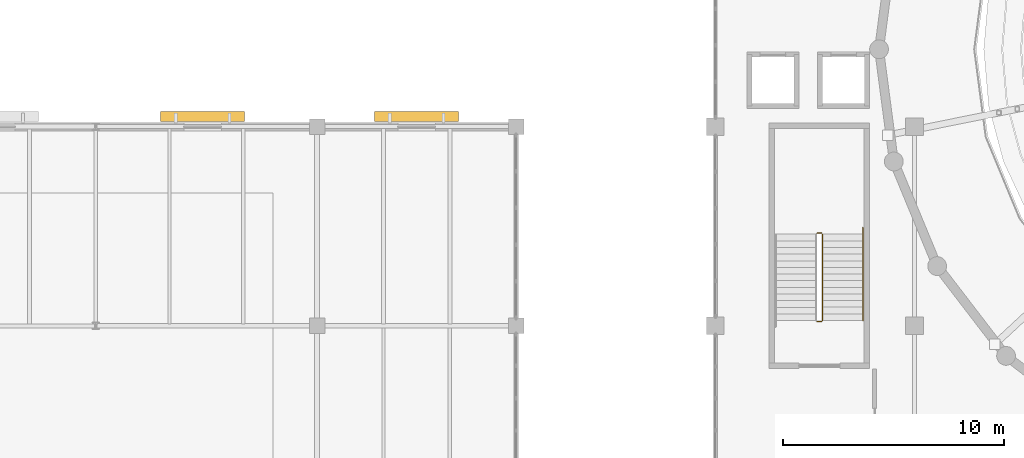
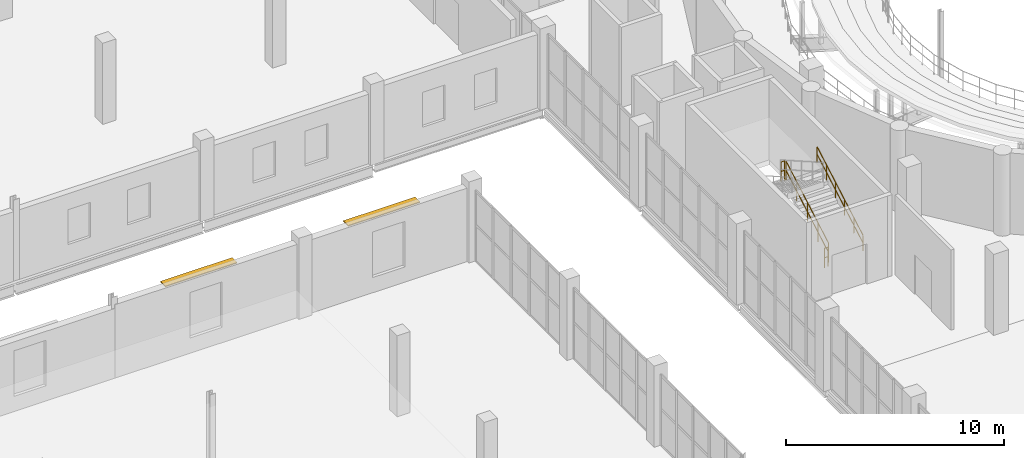
# One storey, part 84 of 93: 4 railings, 2 shading devices.
"""IFC4 building model written with IfcOpenShell, lengths in metres."""

import ifcopenshell
import ifcopenshell.guid

model = None  # the IFC model being written
_history = None  # IfcOwnerHistory: only IFC2X3 demands one
_inside = {}  # id of a spatial element -> (the spatial element, [elements in it])
_under = {}  # id of a project, library or spatial element -> (it, [spatial elements below it])
_declared = {}  # id of a project -> (the project, [libraries it declares])
_typed = {}  # id of a type object -> (the type object, [elements of that type])
_made_of = {}  # id of a material, layer set ... -> (it, [elements and type objects made of it])


def new_model(schema):
    """Start an empty IFC model of exactly this schema.

    Asked for "IFC4X3", IfcOpenShell would pick the latest addendum, in which some entities
    have other attributes; the version numbers below select the first issue.
    IFC2X3 requires an IfcOwnerHistory on every rooted entity: one is made here for all.
    """
    global model, _history
    if schema == "IFC4X3":
        model = ifcopenshell.file(schema_version=(4, 3, 0, 0))
    else:
        model = ifcopenshell.file(schema=schema)
    _inside.clear()
    _under.clear()
    _declared.clear()
    _typed.clear()
    _made_of.clear()
    _history = None
    if model.schema == "IFC2X3":
        org = make("IfcOrganization", Name="unknown")
        user = make(
            "IfcPersonAndOrganization",
            ThePerson=make("IfcPerson", FamilyName="unknown"),
            TheOrganization=org,
        )
        app = make(
            "IfcApplication",
            ApplicationDeveloper=org,
            Version="unknown",
            ApplicationFullName="unknown",
            ApplicationIdentifier="unknown",
        )
        _history = make(
            "IfcOwnerHistory",
            OwningUser=user,
            OwningApplication=app,
            ChangeAction="ADDED",
            CreationDate=0,
        )
    return model


def make(cls, **values):
    """One entity of the class cls with the attributes given. An attribute that is None is left unset."""
    return model.create_entity(
        cls, **{name: value for name, value in values.items() if value is not None}
    )


def rooted(cls, **values):
    """An entity with a GlobalId (a new one), such as an element, a storey or a relation."""
    return make(cls, GlobalId=ifcopenshell.guid.new(), OwnerHistory=_history, **values)


def si_unit(unit_type, name, prefix=None):
    """IfcSIUnit, for example si_unit("LENGTHUNIT", "METRE", prefix="MILLI")."""
    return make("IfcSIUnit", UnitType=unit_type, Prefix=prefix, Name=name)


def assignment(units):
    """IfcUnitAssignment: the units of a project."""
    return None if units is None else make("IfcUnitAssignment", Units=units)


def point(xyz):
    """IfcCartesianPoint."""
    return None if xyz is None else make("IfcCartesianPoint", Coordinates=xyz)


def direction(xyz):
    """IfcDirection."""
    return None if xyz is None else make("IfcDirection", DirectionRatios=xyz)


def frame(location, z_axis=None, x_axis=None):
    """IfcAxis2Placement3D, a coordinate frame: its origin and axes. An axis left out is left unset."""
    return make(
        "IfcAxis2Placement3D",
        Location=point(location),
        Axis=direction(z_axis),
        RefDirection=direction(x_axis),
    )


def frame_2d(location, x_axis=None):
    """IfcAxis2Placement2D, a coordinate frame in the plane: its origin and x axis."""
    return make(
        "IfcAxis2Placement2D", Location=point(location), RefDirection=direction(x_axis)
    )


def origin():
    """The frame at (0, 0, 0) with its axes left unset."""
    return frame((0.0, 0.0, 0.0))


def origin_2d():
    """The frame at (0, 0) in the plane with its x axis left unset."""
    return frame_2d((0.0, 0.0))


def place(relative_to, where):
    """IfcLocalPlacement: puts the frame where relative to a parent placement (None: the world)."""
    return make(
        "IfcLocalPlacement", PlacementRelTo=relative_to, RelativePlacement=where
    )


def context(
    kind, dimensions, precision=None, world=None, true_north=None, identifier=None
):
    """IfcGeometricRepresentationContext, for example the 3D "Model" context."""
    return make(
        "IfcGeometricRepresentationContext",
        ContextIdentifier=identifier,
        ContextType=kind,
        CoordinateSpaceDimension=dimensions,
        Precision=precision,
        WorldCoordinateSystem=world,
        TrueNorth=true_north,
    )


def subcontext(parent, identifier, kind, view, scale=None):
    """IfcGeometricRepresentationSubContext, for example "Body" below "Model"."""
    return make(
        "IfcGeometricRepresentationSubContext",
        ContextIdentifier=identifier,
        ContextType=kind,
        ParentContext=parent,
        TargetScale=scale,
        TargetView=view,
    )


def project(units=None, contexts=None):
    """IfcProject with its units and contexts."""
    return rooted(
        "IfcProject",
        Name="project",
        RepresentationContexts=contexts,
        UnitsInContext=assignment(units),
    )


def spatial(cls, under=None, at=None, **own):
    """A site, building, storey or space (cls), placed at a placement, below another one or the project."""
    s = rooted(cls, ObjectPlacement=at, **own)
    if under is not None:
        _under.setdefault(under.id(), (under, []))[1].append(s)
    return s


def profile(cls, at=None, kind="AREA", **sizes):
    """A parametric profile (cls). Its sizes go by their IFC names, for example OverallWidth=200.0."""
    return make(cls, ProfileType=kind, Position=at, **sizes)


def rectangle(**sizes):
    """IfcRectangleProfileDef."""
    return profile("IfcRectangleProfileDef", **sizes)


def circle(**sizes):
    """IfcCircleProfileDef."""
    return profile("IfcCircleProfileDef", **sizes)


def extrude(swept, where, along, depth):
    """IfcExtrudedAreaSolid: the profile swept, set in the frame where, extruded along a direction by depth."""
    return make(
        "IfcExtrudedAreaSolid",
        SweptArea=swept,
        Position=where,
        ExtrudedDirection=direction(along),
        Depth=depth,
    )


def shape(context_of_items, identifier, shape_type, items):
    """IfcShapeRepresentation: the items that make up one representation, for example the "Body"."""
    return make(
        "IfcShapeRepresentation",
        ContextOfItems=context_of_items,
        RepresentationIdentifier=identifier,
        RepresentationType=shape_type,
        Items=items,
    )


def material(Name=None, Category=None):
    """IfcMaterial."""
    return make("IfcMaterial", Name=Name, Category=Category)


def layer(
    of_material, thickness, ventilated=None, Name=None, Category=None, Priority=None
):
    """IfcMaterialLayer: one layer of a wall or slab, of a material (None: an air gap)."""
    return make(
        "IfcMaterialLayer",
        Material=of_material,
        LayerThickness=thickness,
        IsVentilated=ventilated,
        Name=Name,
        Category=Category,
        Priority=Priority,
    )


def layer_set(layers, Name=None):
    """IfcMaterialLayerSet."""
    return make("IfcMaterialLayerSet", MaterialLayers=layers, LayerSetName=Name)


def made_of(thing, what):
    """Note that an element or type object is made of a material, layer set ...; save() writes the relation."""
    if what is not None:
        _made_of.setdefault(what.id(), (what, []))[1].append(thing)
    return thing


def type_object(cls, material=None, **own):
    """A type object (cls), such as IfcWallType, which elements share."""
    return made_of(rooted(cls, **own), material)


def element(
    cls,
    number,
    at=None,
    inside=None,
    cuts=None,
    type_object=None,
    material=None,
    context=None,
    identifier="Body",
    shape_type=None,
    held_by="IfcProductDefinitionShape",
    body=None,
    shapes=None,
    **own,
):
    """One element of the class cls, such as IfcWall. Its Tag is "e" and its number.

    at: its placement. inside: the storey or other place that contains it. cuts: it is an
    opening in that element (IfcRelVoidsElement). A single representation is given by context,
    identifier, shape_type and body (its items); several are given by shapes. held_by: the class
    of the entity that holds the representations. save() writes the other relations.
    """
    e = rooted(cls, Tag="e%d" % number, ObjectPlacement=at, **own)
    if body is not None:
        shapes = [shape(context, identifier, shape_type, body)]
    if shapes is not None:
        e.Representation = make(held_by, Representations=shapes)
    if inside is not None:
        _inside.setdefault(inside.id(), (inside, []))[1].append(e)
    if cuts is not None:
        rooted(
            "IfcRelVoidsElement", RelatingBuildingElement=cuts, RelatedOpeningElement=e
        )
    if type_object is not None:
        _typed.setdefault(type_object.id(), (type_object, []))[1].append(e)
    return made_of(e, material)


def aggregate(whole, parts):
    """IfcRelAggregates: a whole, such as a stair, and the parts it consists of."""
    return rooted("IfcRelAggregates", RelatingObject=whole, RelatedObjects=parts)


def save(model, path):
    """Write the relations noted so far, then the file.

    IfcRelAggregates (storeys below a building ...), IfcRelContainedInSpatialStructure (elements
    in a storey), IfcRelDefinesByType, IfcRelAssociatesMaterial and IfcRelDeclares: one each for
    every whole, place, type object, material and project.
    """
    for whole, parts in _under.values():
        aggregate(whole, parts)
    for where, things in _inside.values():
        rooted(
            "IfcRelContainedInSpatialStructure",
            RelatedElements=things,
            RelatingStructure=where,
        )
    for kind, things in _typed.values():
        rooted("IfcRelDefinesByType", RelatedObjects=things, RelatingType=kind)
    for what, things in _made_of.values():
        rooted("IfcRelAssociatesMaterial", RelatedObjects=things, RelatingMaterial=what)
    for by, libraries in _declared.values():
        rooted("IfcRelDeclares", RelatingContext=by, RelatedDefinitions=libraries)
    model.write(path)


model = new_model("IFC4")

# Units and contexts
model_context = context("Model", 3, precision=1e-05, world=origin(), true_north=direction((0.0, 1.0)))
body_context = subcontext(model_context, "Body", "Model", "MODEL_VIEW")
ifc_project = project(units=[si_unit("LENGTHUNIT", "METRE"), si_unit("AREAUNIT", "SQUARE_METRE"), si_unit("VOLUMEUNIT", "CUBIC_METRE"), si_unit("PLANEANGLEUNIT", "RADIAN"), si_unit("MASSUNIT", "GRAM", prefix="KILO")], contexts=[model_context])

# Site, building, storey
site_placement = place(None, origin())
site = spatial("IfcSite", under=ifc_project, at=site_placement, CompositionType="ELEMENT")
building_placement = place(site_placement, origin())
building = spatial("IfcBuilding", under=site, at=building_placement, Name="Marnock Terrace Opera House", CompositionType="ELEMENT")
storey_placement = place(building_placement, frame((0.0, 0.0, 5.39990234375)))
storey = spatial("IfcBuildingStorey", under=building, at=storey_placement, Name="L01", CompositionType="ELEMENT", Elevation=5.39990234375)

# Railings
ifc_material_1 = material(Name="Architectural bronze balustrade")
railing_type_1 = type_object("IfcRailingType", Name="RL-GUARD-1100", PredefinedType="GUARDRAIL", material=ifc_material_1)
railing_1_placement = place(storey_placement, frame((59.85009765625, 48.239990234375, 0.171630859375)))
element("IfcRailing", 1, at=railing_1_placement, inside=storey, type_object=railing_type_1, Name="L01 ST-01 stair guard 1", PredefinedType="GUARDRAIL", context=body_context, shape_type="SweptSolid", body=[
    extrude(circle(Radius=0.02392578125, at=origin_2d()), frame((0.0, 0.0, 1.076171875), z_axis=(0.0, 0.868243142124, 0.496138938357), x_axis=(-1.0, 0.0, 0.0)), (0.0, 0.0, 1.0), 4.49169921875),
    extrude(circle(Radius=0.02392578125, at=origin_2d()), frame((0.0, 0.0, 0.550048828125), z_axis=(0.0, 0.868243142124, 0.496138938357), x_axis=(-1.0, 0.0, 0.0)), (0.0, 0.0, 1.0), 4.49169921875),
    extrude(circle(Radius=0.02099609375, at=origin_2d()), origin(), (0.0, 0.0, 1.0), 1.052001953125),
    extrude(circle(Radius=0.02099609375, at=origin_2d()), frame((0.0, 0.97509765625, 0.55712890625)), (0.0, 0.0, 1.0), 1.052001953125),
    extrude(circle(Radius=0.02099609375, at=origin_2d()), frame((0.0, 1.949951171875, 1.1142578125)), (0.0, 0.0, 1.0), 1.052001953125),
    extrude(circle(Radius=0.02099609375, at=origin_2d()), frame((0.0, 2.9248046875, 1.67138671875)), (0.0, 0.0, 1.0), 1.052001953125),
    extrude(circle(Radius=0.02099609375, at=origin_2d()), frame((0.0, 3.89990234375, 2.228515625)), (0.0, 0.0, 1.0), 1.052001953125),
])
for number, where, name in (
    (2, (59.800048828125, 52.18994140625, 2.400146484375), "L01 ST-01 stair guard 2"),
    (3, (59.800048828125, 48.18994140625, 0.0), "L01 ST-01 stair guard 4"),
):
    element("IfcRailing", number, at=place(storey_placement, frame(where)), inside=storey, type_object=railing_type_1, Name=name, PredefinedType="GUARDRAIL", context=body_context, shape_type="SweptSolid", body=[
        extrude(circle(Radius=0.02392578125, at=origin_2d()), frame((0.0, 0.0, 1.076171875), z_axis=(-1.0, 0.0, 0.0), x_axis=(0.0, -1.0, 0.0)), (0.0, 0.0, 1.0), 0.199951171875),
        extrude(circle(Radius=0.02392578125, at=origin_2d()), frame((0.0, 0.0, 0.550048828125), z_axis=(-1.0, 0.0, 0.0), x_axis=(0.0, -1.0, 0.0)), (0.0, 0.0, 1.0), 0.199951171875),
        extrude(circle(Radius=0.02099609375, at=origin_2d()), origin(), (0.0, 0.0, 1.0), 1.052001953125),
        extrude(circle(Radius=0.02099609375, at=origin_2d()), frame((-0.199951171875, 0.0, 0.0)), (0.0, 0.0, 1.0), 1.052001953125),
    ])
railing_type_2 = type_object("IfcRailingType", Name="RL-HAND-900", PredefinedType="HANDRAIL", material=ifc_material_1)
railing_2_placement = place(storey_placement, frame((61.669921875, 48.239990234375, 0.18359375)))
element("IfcRailing", 4, at=railing_2_placement, inside=storey, type_object=railing_type_2, Name="L01 ST-01 stair handrail 1", PredefinedType="HANDRAIL", context=body_context, shape_type="SweptSolid", body=[
    extrude(circle(Radius=0.02392578125, at=origin_2d()), frame((0.0, 0.0, 0.8759765625), z_axis=(0.0, 0.868249353848, 0.496128067682), x_axis=(-1.0, 0.0, 0.0)), (0.0, 0.0, 1.0), 4.837158203125),
    extrude(circle(Radius=0.02392578125, at=origin_2d()), frame((0.0, 0.0, 0.449951171875), z_axis=(0.0, 0.868249353848, 0.496128067682), x_axis=(-1.0, 0.0, 0.0)), (0.0, 0.0, 1.0), 4.837158203125),
    extrude(circle(Radius=0.02099609375, at=origin_2d()), origin(), (0.0, 0.0, 1.0), 0.851806640625),
    extrude(circle(Radius=0.02099609375, at=origin_2d()), frame((0.0, 0.840087890625, 0.47998046875)), (0.0, 0.0, 1.0), 0.851806640625),
    extrude(circle(Radius=0.02099609375, at=origin_2d()), frame((0.0, 1.679931640625, 0.9599609375)), (0.0, 0.0, 1.0), 0.851806640625),
    extrude(circle(Radius=0.02099609375, at=origin_2d()), frame((0.0, 2.52001953125, 1.43994140625)), (0.0, 0.0, 1.0), 0.851806640625),
    extrude(circle(Radius=0.02099609375, at=origin_2d()), frame((0.0, 3.35986328125, 1.919921875)), (0.0, 0.0, 1.0), 0.851806640625),
    extrude(circle(Radius=0.02099609375, at=origin_2d()), frame((0.0, 4.199951171875, 2.39990234375)), (0.0, 0.0, 1.0), 0.851806640625),
])

# Shading devices
ifc_material_2 = material(Name="Architectural cast bronze")
ifc_layer = layer(ifc_material_2, 0.054931640625)
ifc_layer_set = layer_set([ifc_layer], Name="Architectural cast bronze")
shading_device_type = type_object("IfcShadingDeviceType", Name="SHD-LOUVRE-3800", PredefinedType="JALOUSIE", material=ifc_layer_set)
for number, where, z_axis, x_axis, name in (
    (5, (31.826904296875, 57.465087890625, 3.81005859375), (0.0, 0.0, 1.0), (1.0, 0.0, 0.0), "Adelaide sun-control bronze brise-soleil EW-V3N-L01-4"),
    (6, (41.5, 57.465087890625, 3.81005859375), (0.0, 0.0, 1.0), (1.0, 0.0, 0.0), "Adelaide sun-control bronze brise-soleil EW-V3N-L01-5"),
):
    element("IfcShadingDevice", number, at=place(storey_placement, frame(where, z_axis=z_axis, x_axis=x_axis)), inside=storey, type_object=shading_device_type, Name=name, PredefinedType="JALOUSIE", context=body_context, shape_type="SweptSolid", body=[
        extrude(rectangle(XDim=3.800048828125, YDim=0.449951171875, at=origin_2d()), origin(), (0.0, 0.0, 1.0), 0.054931640625),
    ])

save(model, "model.ifc")
